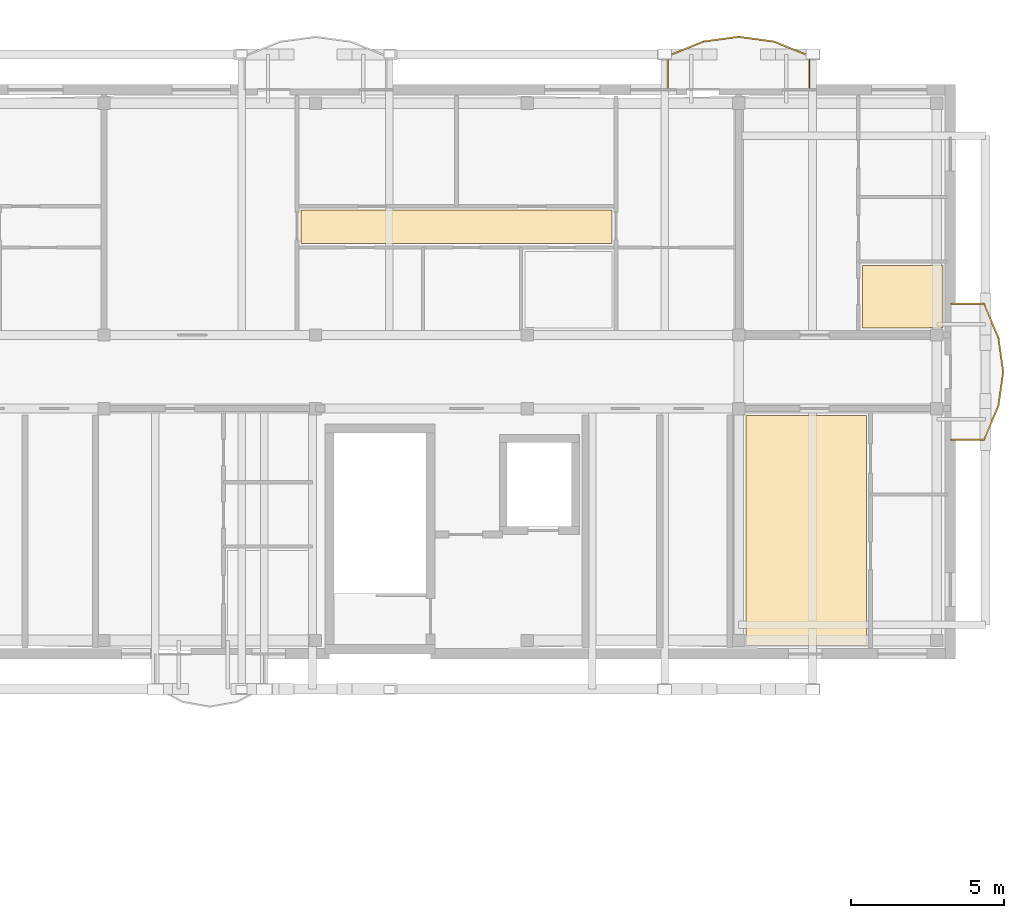
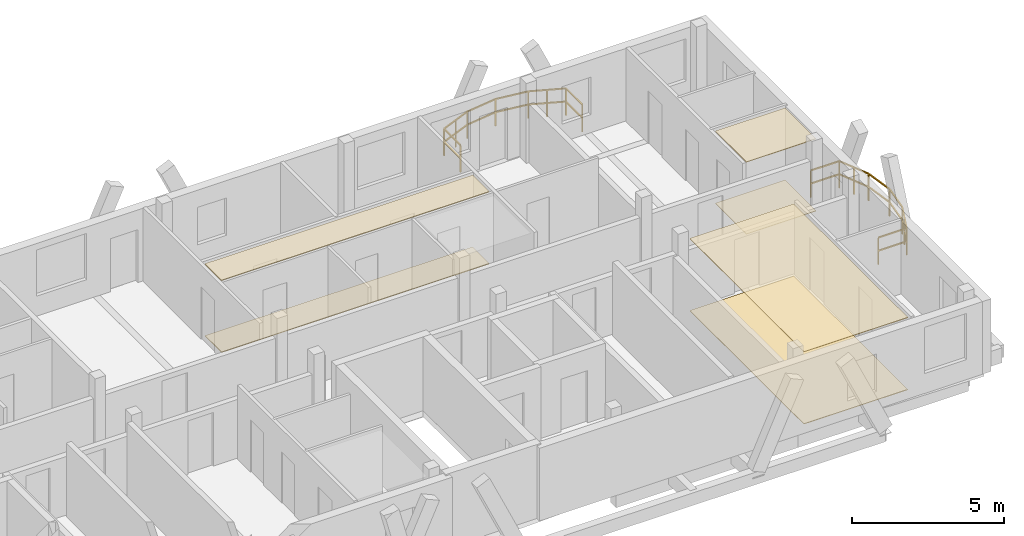
# One storey, part 29 of 29: 6 coverings, 2 railings.
"""IFC4 building model written with IfcOpenShell, lengths in metres."""

from ifc_helpers import new_model, si_unit, direction, frame, origin, origin_2d, place, context, subcontext, project, spatial, polyline, rectangle, outline, extrude, material, layer, layer_set, type_object, element, save


model = new_model("IFC4")

# Units and contexts
model_context = context("Model", 3, precision=1e-05, world=origin(), true_north=direction((0.0, 1.0)))
body_context = subcontext(model_context, "Body", "Model", "MODEL_VIEW")
ifc_project = project(units=[si_unit("LENGTHUNIT", "METRE"), si_unit("AREAUNIT", "SQUARE_METRE"), si_unit("VOLUMEUNIT", "CUBIC_METRE"), si_unit("PLANEANGLEUNIT", "RADIAN"), si_unit("MASSUNIT", "GRAM", prefix="KILO")], contexts=[model_context])

# Site, building, storey
site_placement = place(None, origin())
site = spatial("IfcSite", under=ifc_project, at=site_placement, CompositionType="ELEMENT")
building_placement = place(site_placement, origin())
building = spatial("IfcBuilding", under=site, at=building_placement, Name="Zavelmont Quarter", CompositionType="ELEMENT")
storey_placement = place(building_placement, frame((0.0, 0.0, 33.60009765625)))
storey = spatial("IfcBuildingStorey", under=building, at=storey_placement, Name="L10", CompositionType="ELEMENT", Elevation=33.60009765625)

# Coverings
ifc_material_1 = material(Name="Perforated acoustic gypsum board")
ifc_layer_1 = layer(ifc_material_1, 0.02490234375)
ifc_layer_set_1 = layer_set([ifc_layer_1], Name="Perforated acoustic gypsum board")
covering_type_1 = type_object("IfcCoveringType", Name="CV-CL01", PredefinedType="CEILING", material=ifc_layer_set_1)
covering_1_placement = place(storey_placement, frame((0.0, 0.0, 2.885009765625)))
element("IfcCovering", 1, at=covering_1_placement, inside=storey, type_object=covering_type_1, Name="L10 Kitchen acoustic ceiling", PredefinedType="CEILING", context=body_context, shape_type="SweptSolid", body=[
    extrude(outline(polyline([(165.1298828125, 110.27001953125), (167.77001953125, 110.27001953125), (167.77001953125, 108.239990234375), (167.320068359375, 108.239990234375), (167.320068359375, 108.22998046875), (165.1298828125, 108.22998046875), (165.1298828125, 110.27001953125)])), origin(), (0.0, 0.0, 1.0), 0.02490234375),
])
covering_2_placement = place(storey_placement, frame((0.0, 0.0, 2.885009765625)))
element("IfcCovering", 2, at=covering_2_placement, inside=storey, type_object=covering_type_1, Name="L10 Residents Study Lounge acoustic ceiling", PredefinedType="CEILING", context=body_context, shape_type="SweptSolid", body=[
    extrude(outline(polyline([(161.330078125, 105.360107421875), (161.340087890625, 105.360107421875), (161.340087890625, 105.3701171875), (165.27001953125, 105.3701171875), (165.27001953125, 97.8798828125), (161.340087890625, 97.8798828125), (161.340087890625, 98.280029296875), (161.330078125, 98.280029296875), (161.330078125, 105.360107421875)])), origin(), (0.0, 0.0, 1.0), 0.02490234375),
])
ifc_material_2 = material(Name="Slatted European ash acoustic baffle ceiling")
ifc_layer_2 = layer(ifc_material_2, 0.0400390625)
ifc_layer_set_2 = layer_set([ifc_layer_2], Name="Slatted European ash acoustic baffle ceiling")
covering_type_2 = type_object("IfcCoveringType", Name="CV-CL02", PredefinedType="CEILING", material=ifc_layer_set_2)
covering_3_placement = place(storey_placement, frame((0.0, 0.0, 2.869873046875)))
element("IfcCovering", 3, at=covering_3_placement, inside=storey, type_object=covering_type_2, Name="L10 Apartment Hall acoustic ceiling", PredefinedType="CEILING", context=body_context, shape_type="SweptSolid", body=[
    extrude(outline(polyline([(146.830078125, 112.070068359375), (156.969970703125, 112.070068359375), (156.969970703125, 110.97998046875), (146.830078125, 110.97998046875), (146.830078125, 112.070068359375)])), origin(), (0.0, 0.0, 1.0), 0.0400390625),
])
ifc_material_3 = material(Name="Engineered European oak parquet")
ifc_layer_3 = layer(ifc_material_3, 0.02197265625)
ifc_layer_set_3 = layer_set([ifc_layer_3], Name="Engineered European oak parquet")
covering_type_3 = type_object("IfcCoveringType", Name="CV-FL01", PredefinedType="FLOORING", material=ifc_layer_set_3)
covering_4_placement = place(storey_placement, origin())
element("IfcCovering", 4, at=covering_4_placement, inside=storey, type_object=covering_type_3, Name="L10 Kitchen floor finish", PredefinedType="FLOORING", context=body_context, shape_type="SweptSolid", body=[
    extrude(outline(polyline([(165.1298828125, 110.27001953125), (167.77001953125, 110.27001953125), (167.77001953125, 108.239990234375), (167.320068359375, 108.239990234375), (167.320068359375, 108.22998046875), (165.1298828125, 108.22998046875), (165.1298828125, 110.27001953125)])), origin(), (0.0, 0.0, 1.0), 0.02197265625),
])
covering_5_placement = place(storey_placement, origin())
element("IfcCovering", 5, at=covering_5_placement, inside=storey, type_object=covering_type_3, Name="L10 Residents Study Lounge floor finish", PredefinedType="FLOORING", context=body_context, shape_type="SweptSolid", body=[
    extrude(outline(polyline([(161.330078125, 105.360107421875), (161.340087890625, 105.360107421875), (161.340087890625, 105.3701171875), (165.27001953125, 105.3701171875), (165.27001953125, 97.8798828125), (161.340087890625, 97.8798828125), (161.340087890625, 98.280029296875), (161.330078125, 98.280029296875), (161.330078125, 105.360107421875)])), origin(), (0.0, 0.0, 1.0), 0.02197265625),
])
ifc_material_4 = material(Name="Honed Belgian bluestone tile", Category="masonry")
ifc_layer_4 = layer(ifc_material_4, 0.030029296875)
ifc_layer_set_4 = layer_set([ifc_layer_4], Name="Honed Belgian bluestone tile")
covering_type_4 = type_object("IfcCoveringType", Name="CV-FL02", PredefinedType="FLOORING", material=ifc_layer_set_4)
covering_6_placement = place(storey_placement, origin())
element("IfcCovering", 6, at=covering_6_placement, inside=storey, type_object=covering_type_4, Name="L10 Apartment Hall floor finish", PredefinedType="FLOORING", context=body_context, shape_type="SweptSolid", body=[
    extrude(outline(polyline([(146.830078125, 112.070068359375), (156.969970703125, 112.070068359375), (156.969970703125, 110.97998046875), (146.830078125, 110.97998046875), (146.830078125, 112.070068359375)])), origin(), (0.0, 0.0, 1.0), 0.02978515625),
])

# Railings
ifc_material_5 = material(Name="Powder-coated steel and tempered double safety glass", Category="steel")
railing_type = type_object("IfcRailingType", Name="RL-BAL1", PredefinedType="BALUSTRADE", material=ifc_material_5)
railing_1_placement = place(storey_placement, frame((163.40869140625, 116.02001953125, 0.0)))
element("IfcRailing", 7, at=railing_1_placement, inside=storey, type_object=railing_type, Name="L10 Block C curved balcony guard RL-BAL1", PredefinedType="BALUSTRADE", context=body_context, shape_type="SweptSolid", body=[
    extrude(rectangle(XDim=0.048095703125, YDim=0.048095703125, at=origin_2d()), frame((0.0, 0.0, 1.076171875), z_axis=(0.0, 1.0, 0.0), x_axis=(-1.0, 0.0, 0.0)), (0.0, 0.0, 1.0), 1.080078125),
    extrude(rectangle(XDim=0.048095703125, YDim=0.048095703125, at=origin_2d()), frame((0.0, 0.0, 0.550048828125), z_axis=(0.0, 1.0, 0.0), x_axis=(-1.0, 0.0, 0.0)), (0.0, 0.0, 1.0), 1.080078125),
    extrude(rectangle(XDim=0.048095703125, YDim=0.048095703125, at=origin_2d()), frame((0.0, 1.080078125, 1.076171875), z_axis=(-0.925902168277, 0.377763384646, 0.0), x_axis=(-0.377763384646, -0.925902168277, 0.0)), (0.0, 0.0, 1.0), 1.24658203125),
    extrude(rectangle(XDim=0.048095703125, YDim=0.048095703125, at=origin_2d()), frame((0.0, 1.080078125, 0.550048828125), z_axis=(-0.925902168277, 0.377763384646, 0.0), x_axis=(-0.377763384646, -0.925902168277, 0.0)), (0.0, 0.0, 1.0), 1.24658203125),
    extrude(rectangle(XDim=0.048095703125, YDim=0.048095703125, at=origin_2d()), frame((-1.154296875, 1.551025390625, 1.076171875), z_axis=(-0.990878566261, 0.134757808398, 0.0), x_axis=(-0.134757808398, -0.990878566261, 0.0)), (0.0, 0.0, 1.0), 1.1650390625),
    extrude(rectangle(XDim=0.048095703125, YDim=0.048095703125, at=origin_2d()), frame((-1.154296875, 1.551025390625, 0.550048828125), z_axis=(-0.990878566261, 0.134757808398, 0.0), x_axis=(-0.134757808398, -0.990878566261, 0.0)), (0.0, 0.0, 1.0), 1.1650390625),
    extrude(rectangle(XDim=0.048095703125, YDim=0.048095703125, at=origin_2d()), frame((-2.30859375, 1.7080078125, 1.076171875), z_axis=(-0.990882370919, -0.134729829668, 0.0), x_axis=(0.134729829668, -0.990882370919, 0.0)), (0.0, 0.0, 1.0), 1.165283203125),
    extrude(rectangle(XDim=0.048095703125, YDim=0.048095703125, at=origin_2d()), frame((-2.30859375, 1.7080078125, 0.550048828125), z_axis=(-0.990882370919, -0.134729829668, 0.0), x_axis=(0.134729829668, -0.990882370919, 0.0)), (0.0, 0.0, 1.0), 1.165283203125),
    extrude(rectangle(XDim=0.048095703125, YDim=0.048095703125, at=origin_2d()), frame((-3.463134765625, 1.551025390625, 1.076171875), z_axis=(-0.925902168277, -0.377763384646, 0.0), x_axis=(0.377763384646, -0.925902168277, 0.0)), (0.0, 0.0, 1.0), 1.24658203125),
    extrude(rectangle(XDim=0.048095703125, YDim=0.048095703125, at=origin_2d()), frame((-3.463134765625, 1.551025390625, 0.550048828125), z_axis=(-0.925902168277, -0.377763384646, 0.0), x_axis=(0.377763384646, -0.925902168277, 0.0)), (0.0, 0.0, 1.0), 1.24658203125),
    extrude(rectangle(XDim=0.048095703125, YDim=0.048095703125, at=origin_2d()), frame((-4.617431640625, 1.080078125, 1.076171875), z_axis=(0.0, -1.0, 0.0), x_axis=(1.0, 0.0, 0.0)), (0.0, 0.0, 1.0), 1.080078125),
    extrude(rectangle(XDim=0.048095703125, YDim=0.048095703125, at=origin_2d()), frame((-4.617431640625, 1.080078125, 0.550048828125), z_axis=(0.0, -1.0, 0.0), x_axis=(1.0, 0.0, 0.0)), (0.0, 0.0, 1.0), 1.080078125),
    extrude(rectangle(XDim=0.0419921875, YDim=0.0419921875, at=origin_2d()), origin(), (0.0, 0.0, 1.0), 1.052001953125),
    extrude(rectangle(XDim=0.0419921875, YDim=0.0419921875, at=origin_2d()), frame((0.0, 1.080078125, 0.0)), (0.0, 0.0, 1.0), 1.052001953125),
    extrude(rectangle(XDim=0.0419921875, YDim=0.0419921875, at=origin_2d()), frame((-0.5771484375, 1.3154296875, 0.0)), (0.0, 0.0, 1.0), 1.052001953125),
    extrude(rectangle(XDim=0.0419921875, YDim=0.0419921875, at=origin_2d()), frame((-1.154296875, 1.551025390625, 0.0)), (0.0, 0.0, 1.0), 1.052001953125),
    extrude(rectangle(XDim=0.0419921875, YDim=0.0419921875, at=origin_2d()), frame((-2.30859375, 1.7080078125, 0.0)), (0.0, 0.0, 1.0), 1.052001953125),
    extrude(rectangle(XDim=0.0419921875, YDim=0.0419921875, at=origin_2d()), frame((-3.463134765625, 1.551025390625, 0.0)), (0.0, 0.0, 1.0), 1.052001953125),
    extrude(rectangle(XDim=0.0419921875, YDim=0.0419921875, at=origin_2d()), frame((-4.040283203125, 1.3154296875, 0.0)), (0.0, 0.0, 1.0), 1.052001953125),
    extrude(rectangle(XDim=0.0419921875, YDim=0.0419921875, at=origin_2d()), frame((-4.617431640625, 1.080078125, 0.0)), (0.0, 0.0, 1.0), 1.052001953125),
    extrude(rectangle(XDim=0.0419921875, YDim=0.0419921875, at=origin_2d()), frame((-4.617431640625, 0.0, 0.0)), (0.0, 0.0, 1.0), 1.052001953125),
])
railing_2_placement = place(storey_placement, frame((168.02001953125, 104.584716796875, 0.0)))
element("IfcRailing", 8, at=railing_2_placement, inside=storey, type_object=railing_type, Name="L10 Block C curved balcony guard RL-BAL1", PredefinedType="BALUSTRADE", context=body_context, shape_type="SweptSolid", body=[
    extrude(rectangle(XDim=0.048095703125, YDim=0.048095703125, at=origin_2d()), frame((0.0, 0.0, 1.076171875), z_axis=(1.0, 0.0, 0.0), x_axis=(0.0, 1.0, 0.0)), (0.0, 0.0, 1.0), 1.080078125),
    extrude(rectangle(XDim=0.048095703125, YDim=0.048095703125, at=origin_2d()), frame((0.0, 0.0, 0.550048828125), z_axis=(1.0, 0.0, 0.0), x_axis=(0.0, 1.0, 0.0)), (0.0, 0.0, 1.0), 1.080078125),
    extrude(rectangle(XDim=0.048095703125, YDim=0.048095703125, at=origin_2d()), frame((1.080078125, 0.0, 1.076171875), z_axis=(0.391273785356, 0.920274320457, 0.0), x_axis=(-0.920274320457, 0.391273785356, 0.0)), (0.0, 0.0, 1.0), 1.20361328125),
    extrude(rectangle(XDim=0.048095703125, YDim=0.048095703125, at=origin_2d()), frame((1.080078125, 0.0, 0.550048828125), z_axis=(0.391273785356, 0.920274320457, 0.0), x_axis=(-0.920274320457, 0.391273785356, 0.0)), (0.0, 0.0, 1.0), 1.20361328125),
    extrude(rectangle(XDim=0.048095703125, YDim=0.048095703125, at=origin_2d()), frame((1.551025390625, 1.107666015625, 1.076171875), z_axis=(0.140321393642, 0.990106007701, 0.0), x_axis=(-0.990106007701, 0.140321393642, 0.0)), (0.0, 0.0, 1.0), 1.11865234375),
    extrude(rectangle(XDim=0.048095703125, YDim=0.048095703125, at=origin_2d()), frame((1.551025390625, 1.107666015625, 0.550048828125), z_axis=(0.140321393642, 0.990106007701, 0.0), x_axis=(-0.990106007701, 0.140321393642, 0.0)), (0.0, 0.0, 1.0), 1.11865234375),
    extrude(rectangle(XDim=0.048095703125, YDim=0.048095703125, at=origin_2d()), frame((1.7080078125, 2.21533203125, 1.076171875), z_axis=(-0.140321393642, 0.990106007701, 0.0), x_axis=(-0.990106007701, -0.140321393642, 0.0)), (0.0, 0.0, 1.0), 1.11865234375),
    extrude(rectangle(XDim=0.048095703125, YDim=0.048095703125, at=origin_2d()), frame((1.7080078125, 2.21533203125, 0.550048828125), z_axis=(-0.140321393642, 0.990106007701, 0.0), x_axis=(-0.990106007701, -0.140321393642, 0.0)), (0.0, 0.0, 1.0), 1.11865234375),
    extrude(rectangle(XDim=0.048095703125, YDim=0.048095703125, at=origin_2d()), frame((1.551025390625, 3.322998046875, 1.076171875), z_axis=(-0.391273785356, 0.920274320457, 0.0), x_axis=(-0.920274320457, -0.391273785356, 0.0)), (0.0, 0.0, 1.0), 1.20361328125),
    extrude(rectangle(XDim=0.048095703125, YDim=0.048095703125, at=origin_2d()), frame((1.551025390625, 3.322998046875, 0.550048828125), z_axis=(-0.391273785356, 0.920274320457, 0.0), x_axis=(-0.920274320457, -0.391273785356, 0.0)), (0.0, 0.0, 1.0), 1.20361328125),
    extrude(rectangle(XDim=0.048095703125, YDim=0.048095703125, at=origin_2d()), frame((1.080078125, 4.4306640625, 1.076171875), z_axis=(-1.0, 0.0, 0.0), x_axis=(0.0, -1.0, 0.0)), (0.0, 0.0, 1.0), 1.080078125),
    extrude(rectangle(XDim=0.048095703125, YDim=0.048095703125, at=origin_2d()), frame((1.080078125, 4.4306640625, 0.550048828125), z_axis=(-1.0, 0.0, 0.0), x_axis=(0.0, -1.0, 0.0)), (0.0, 0.0, 1.0), 1.080078125),
    extrude(rectangle(XDim=0.0419921875, YDim=0.0419921875, at=origin_2d()), origin(), (0.0, 0.0, 1.0), 1.052001953125),
    extrude(rectangle(XDim=0.0419921875, YDim=0.0419921875, at=origin_2d()), frame((1.080078125, 0.0, 0.0)), (0.0, 0.0, 1.0), 1.052001953125),
    extrude(rectangle(XDim=0.0419921875, YDim=0.0419921875, at=origin_2d()), frame((1.3154296875, 0.5537109375, 0.0)), (0.0, 0.0, 1.0), 1.052001953125),
    extrude(rectangle(XDim=0.0419921875, YDim=0.0419921875, at=origin_2d()), frame((1.551025390625, 1.107666015625, 0.0)), (0.0, 0.0, 1.0), 1.052001953125),
    extrude(rectangle(XDim=0.0419921875, YDim=0.0419921875, at=origin_2d()), frame((1.7080078125, 2.21533203125, 0.0)), (0.0, 0.0, 1.0), 1.052001953125),
    extrude(rectangle(XDim=0.0419921875, YDim=0.0419921875, at=origin_2d()), frame((1.551025390625, 3.322998046875, 0.0)), (0.0, 0.0, 1.0), 1.052001953125),
    extrude(rectangle(XDim=0.0419921875, YDim=0.0419921875, at=origin_2d()), frame((1.3154296875, 3.876953125, 0.0)), (0.0, 0.0, 1.0), 1.052001953125),
    extrude(rectangle(XDim=0.0419921875, YDim=0.0419921875, at=origin_2d()), frame((1.080078125, 4.4306640625, 0.0)), (0.0, 0.0, 1.0), 1.052001953125),
    extrude(rectangle(XDim=0.0419921875, YDim=0.0419921875, at=origin_2d()), frame((0.0, 4.4306640625, 0.0)), (0.0, 0.0, 1.0), 1.052001953125),
])

save(model, "model.ifc")
